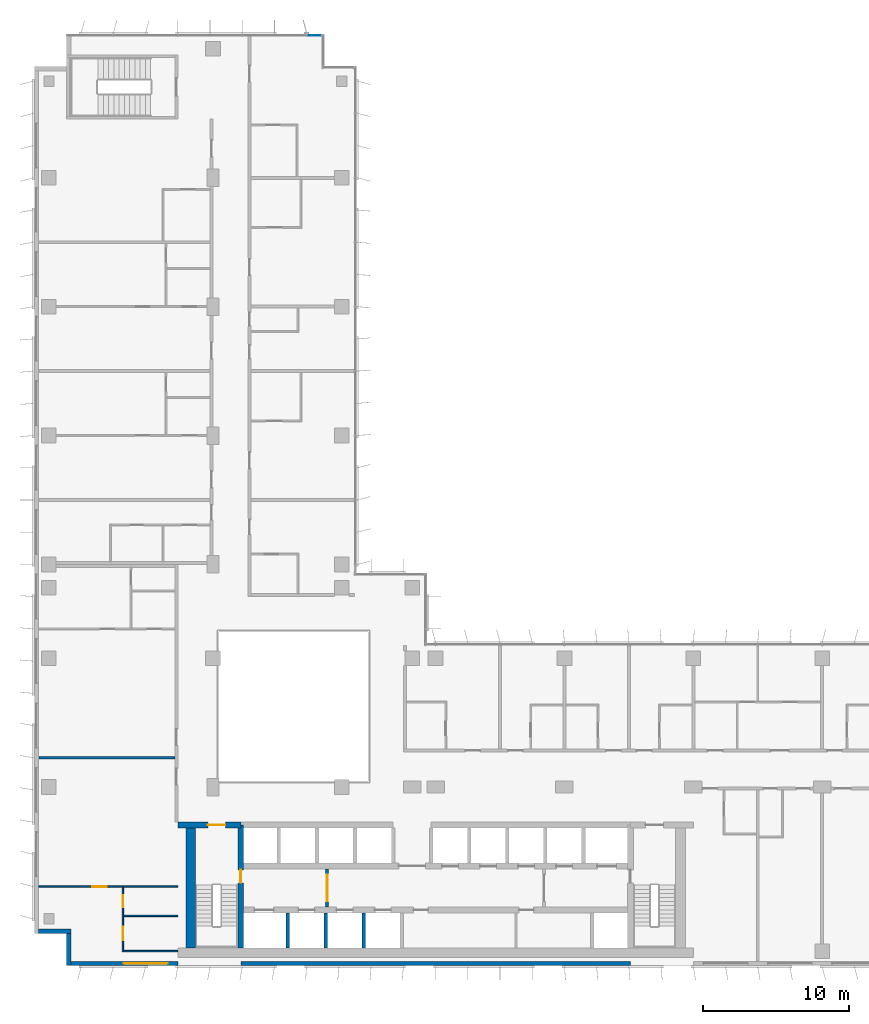
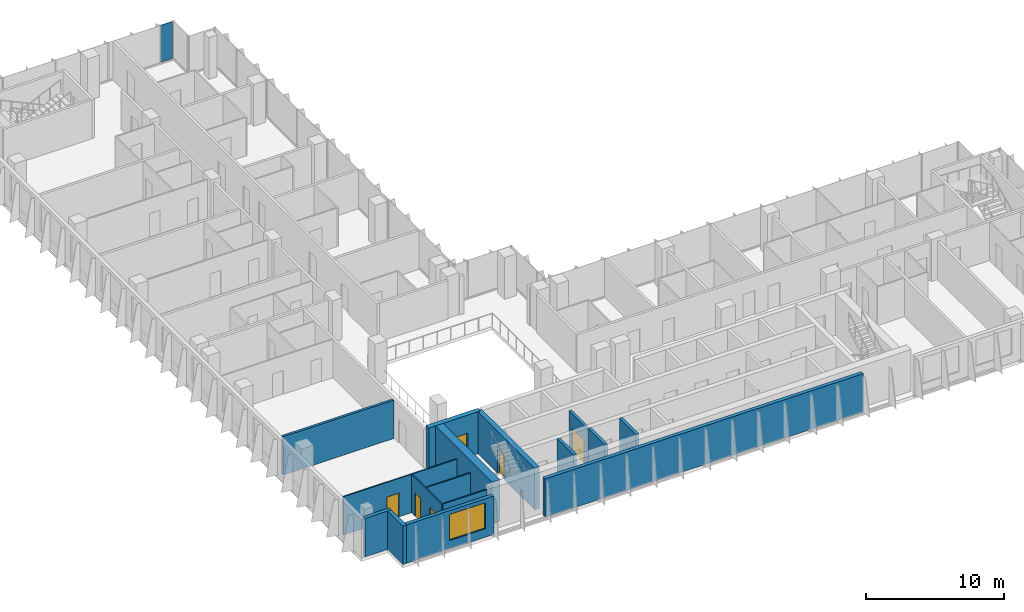
# One storey, part 12 of 21: 16 walls, 6 doors, 1 plate, 1 window, 7 openings, 1 element without a shape of its own.
"""IFC4 building model written with IfcOpenShell, lengths in metres."""

from ifc_helpers import new_model, si_unit, direction, frame, frame_2d, origin, origin_2d, place, context, subcontext, project, spatial, rectangle, extrude, source, transform, mapped, material, layer, layer_set, type_object, element, fill, aggregate, save


model = new_model("IFC4")

# Units and contexts
model_context = context("Model", 3, precision=1e-05, world=origin(), true_north=direction((0.0, 1.0)))
body_context = subcontext(model_context, "Body", "Model", "MODEL_VIEW")
ifc_project = project(units=[si_unit("LENGTHUNIT", "METRE"), si_unit("AREAUNIT", "SQUARE_METRE"), si_unit("VOLUMEUNIT", "CUBIC_METRE"), si_unit("PLANEANGLEUNIT", "RADIAN"), si_unit("MASSUNIT", "GRAM", prefix="KILO")], contexts=[model_context])

# Site, building, storey
site_placement = place(None, origin())
site = spatial("IfcSite", under=ifc_project, at=site_placement, CompositionType="ELEMENT")
building_placement = place(site_placement, origin())
building = spatial("IfcBuilding", under=site, at=building_placement, Name="Kemantara Hotel Tower", CompositionType="ELEMENT")
storey_placement = place(building_placement, frame((0.0, 0.0, 208.0)))
storey = spatial("IfcBuildingStorey", under=building, at=storey_placement, Name="L51", CompositionType="ELEMENT", Elevation=208.0)

# Curtain wall, plate
ifc_material_1 = material(Name="Low-E tinted double insulated glass 36 mm", Category="glass")
curtain_wall_type = type_object("IfcCurtainWallType", Name="TOWER CURTAIN WALL, FRONT FACES", PredefinedType="USERDEFINED", material=ifc_material_1)
curtain_wall_placement = place(storey_placement, origin())
curtain_wall = element("IfcCurtainWall", 1, at=curtain_wall_placement, inside=storey, type_object=curtain_wall_type, Name="CW4 L51 T3-R02-1", ObjectType="TOWER CURTAIN WALL, FRONT FACES", PredefinedType="USERDEFINED")
ifc_layer_1 = layer(ifc_material_1, 0.035888671875)
ifc_layer_set_1 = layer_set([ifc_layer_1], Name="Low-E tinted double insulated glass 36 mm")
plate_type = type_object("IfcPlateType", Name="TOWER CURTAIN WALL, FRONT FACES PANEL", PredefinedType="CURTAIN_PANEL", material=ifc_layer_set_1)
shared_shape = source(origin(), body_context, "Body", "SweptSolid", [
    extrude(rectangle(XDim=0.9599609375, YDim=0.035888671875, at=origin_2d()), origin(), (0.0, 0.0, 1.0), 3.280029296875),
])
plate_placement = place(storey_placement, frame((19.110107421875, 63.52490234375, 0.1201171875), z_axis=(0.0, 0.0, 1.0), x_axis=(-1.0, 0.0, 0.0)))
plate = element("IfcPlate", 2, at=plate_placement, type_object=plate_type, Name="CW4 glass panel T3-R02-1.1", PredefinedType="CURTAIN_PANEL", context=body_context, shape_type="MappedRepresentation", body=[
    mapped(shared_shape, transform((0.0, 0.0, 0.0))),
])
aggregate(curtain_wall, [plate])

# Walls
ifc_material_2 = material(Name="Bronze anodised aluminium cladding on insulated steel stud wall", Category="steel")
ifc_layer_2 = layer(ifc_material_2, 0.300048828125)
ifc_layer_set_2 = layer_set([ifc_layer_2], Name="Bronze anodised aluminium cladding on insulated steel stud wall")
wall_type_1 = type_object("IfcWallType", Name="BRONZE METAL-CLAD EXTERNAL WALL 300", PredefinedType="STANDARD", material=ifc_layer_set_2)
for number, where, z_axis, x_axis, name in (
    (3, (0.300048828125, 2.35009765625, 0.0), (0.0, 0.0, 1.0), (1.0, 0.0, 0.0), "EXTERNAL WALL L51 T3-R06"),
    (4, (2.35009765625, 2.199951171875, 0.0), (0.0, 0.0, 1.0), (0.0, -1.0, 0.0), "EXTERNAL WALL L51 T3-R07"),
):
    element("IfcWall", number, at=place(storey_placement, frame(where, z_axis=z_axis, x_axis=x_axis)), inside=storey, type_object=wall_type_1, Name=name, PredefinedType="STANDARD", context=body_context, shape_type="SweptSolid", body=[
        extrude(rectangle(XDim=2.199951171875, YDim=0.300048828125, at=frame_2d((1.10009765625, 0.0))), origin(), (0.0, 0.0, 1.0), 3.39990234375),
    ])

# Wall, opening, window
wall_1_placement = place(storey_placement, frame((2.5, 0.14990234375, 0.0), z_axis=(0.0, 0.0, 1.0), x_axis=(1.0, 0.0, 0.0)))
wall_1 = element("IfcWall", 5, at=wall_1_placement, inside=storey, type_object=wall_type_1, Name="EXTERNAL WALL L51 T3-R08", PredefinedType="STANDARD", context=body_context, shape_type="SweptSolid", body=[
    extrude(rectangle(XDim=7.300048828125, YDim=0.300048828125, at=frame_2d((3.64990234375, 0.0))), origin(), (0.0, 0.0, 1.0), 3.39990234375),
])
opening_1_placement = place(wall_1_placement, frame((3.60009765625, 0.0, 0.75)))
opening_1 = element("IfcOpeningElement", 6, at=opening_1_placement, cuts=wall_1, Name="Opening W1", PredefinedType="OPENING", context=body_context, shape_type="SweptSolid", body=[
    extrude(rectangle(XDim=3.0, YDim=2.300048828125, at=frame_2d((1.5, 1.14990234375))), frame((0.0, 0.159912109375, 0.0), z_axis=(0.0, -1.0, 0.0), x_axis=(1.0, 0.0, 0.0)), (0.0, 0.0, 1.0), 0.320068359375),
])
ifc_material_3 = material(Name="Low-E tinted double insulated glass in bronze anodised aluminium frame", Category="aluminium")
window_type = type_object("IfcWindowType", Name="CHICAGO WINDOW, TRIPLE PANEL 3000x2300", PartitioningType="TRIPLE_PANEL_VERTICAL", PredefinedType="WINDOW", material=ifc_material_3)
window_placement = place(opening_1_placement, origin())
window = element("IfcWindow", 7, at=window_placement, inside=storey, type_object=window_type, Name="CHICAGO WINDOW L51 T3-R08-54", OverallHeight=2.300048828125, OverallWidth=3.0, PartitioningType="SINGLE_PANEL", PredefinedType="WINDOW", context=body_context, shape_type="SweptSolid", body=[
    extrude(rectangle(XDim=3.0, YDim=2.300048828125, at=frame_2d((1.5, 1.14990234375))), frame((0.0, 0.030029296875, 0.0), z_axis=(0.0, -1.0, 0.0), x_axis=(1.0, 0.0, 0.0)), (0.0, 0.0, 1.0), 0.06005859375),
])
fill(opening_1, window)

# Walls
wall_2_placement = place(storey_placement, frame((14.10009765625, 0.14990234375, 0.0), z_axis=(0.0, 0.0, 1.0), x_axis=(1.0, 0.0, 0.0)))
element("IfcWall", 8, at=wall_2_placement, inside=storey, type_object=wall_type_1, Name="EXTERNAL WALL L51 T3-R08-2", PredefinedType="STANDARD", context=body_context, shape_type="SweptSolid", body=[
    extrude(rectangle(XDim=26.599853515625, YDim=0.300048828125, at=frame_2d((13.2998046875, 0.0))), origin(), (0.0, 0.0, 1.0), 3.39990234375),
])
ifc_material_4 = material(Name="Concrete fc 60 MPa", Category="concrete")
ifc_layer_3 = layer(ifc_material_4, 0.25)
ifc_layer_set_3 = layer_set([ifc_layer_3], Name="Concrete fc 60 MPa")
wall_type_2 = type_object("IfcWallType", Name="CORE WALL 250 FC60", PredefinedType="SHEAR", material=ifc_layer_set_3)
for number, where, z_axis, x_axis, name in (
    (9, (17.300048828125, 1.199951171875, 0.0), (0.0, 0.0, 1.0), (0.0, 1.0, 0.0), "CORE WALL CW-DS17.3"),
    (10, (19.89990234375, 1.199951171875, 0.0), (0.0, 0.0, 1.0), (0.0, 1.0, 0.0), "CORE WALL CW-DS19.9"),
    (11, (22.5, 1.199951171875, 0.0), (0.0, 0.0, 1.0), (0.0, 1.0, 0.0), "CORE WALL CW-DS22.5"),
):
    element("IfcWall", number, at=place(storey_placement, frame(where, z_axis=z_axis, x_axis=x_axis)), inside=storey, type_object=wall_type_2, Name=name, PredefinedType="SHEAR", context=body_context, shape_type="SweptSolid", body=[
        extrude(rectangle(XDim=2.400146484375, YDim=0.25, at=frame_2d((1.2001953125, 0.0))), origin(), (0.0, 0.0, 1.0), 3.699951171875),
    ])

# Wall, opening, door
ifc_layer_4 = layer(ifc_material_4, 0.39990234375)
ifc_layer_set_4 = layer_set([ifc_layer_4], Name="Concrete fc 60 MPa")
wall_type_3 = type_object("IfcWallType", Name="CORE WALL 400 FC60", PredefinedType="SHEAR", material=ifc_layer_set_4)
wall_3_placement = place(storey_placement, frame((9.800048828125, 9.60009765625, 0.0), z_axis=(0.0, 0.0, 1.0), x_axis=(1.0, 0.0, 0.0)))
wall_3 = element("IfcWall", 12, at=wall_3_placement, inside=storey, type_object=wall_type_3, Name="CORE WALL CW-N1", PredefinedType="SHEAR", context=body_context, shape_type="SweptSolid", body=[
    extrude(rectangle(XDim=4.300048828125, YDim=0.39990234375, at=frame_2d((2.14990234375, 0.0))), origin(), (0.0, 0.0, 1.0), 3.699951171875),
])
opening_2_placement = place(wall_3_placement, frame((2.050048828125, 0.0, 0.0)))
opening_2 = element("IfcOpeningElement", 13, at=opening_2_placement, cuts=wall_3, Name="Opening C32-ST1-C", PredefinedType="OPENING", context=body_context, shape_type="SweptSolid", body=[
    extrude(rectangle(XDim=1.199951171875, YDim=2.10009765625, at=frame_2d((0.60009765625, 1.050048828125))), frame((0.0, 0.2099609375, 0.0), z_axis=(0.0, -1.0, 0.0), x_axis=(1.0, 0.0, 0.0)), (0.0, 0.0, 1.0), 0.419921875),
])
ifc_material_5 = material(Name="Steel fire door", Category="steel")
door_type_1 = type_object("IfcDoorType", Name="Fire door FD90 1200 x 2100", OperationType="NOTDEFINED", PredefinedType="DOOR", material=ifc_material_5)
door_1_placement = place(opening_2_placement, frame((1.199951171875, 0.0, 0.0), z_axis=(0.0, 0.0, 1.0), x_axis=(-1.0, 0.0, 0.0)))
door_1 = element("IfcDoor", 14, at=door_1_placement, inside=storey, type_object=door_type_1, Name="Stair ST1 door to corridor", OperationType="SINGLE_SWING_LEFT", OverallHeight=2.10009765625, OverallWidth=1.199951171875, PredefinedType="DOOR", context=body_context, shape_type="SweptSolid", body=[
    extrude(rectangle(XDim=1.199951171875, YDim=2.10009765625, at=frame_2d((0.60009765625, 1.050048828125))), frame((0.0, 0.02490234375, 0.0), z_axis=(0.0, -1.0, 0.0), x_axis=(1.0, 0.0, 0.0)), (0.0, 0.0, 1.0), 0.050048828125),
])
fill(opening_2, door_1)

wall_4_placement = place(storey_placement, frame((14.10009765625, 1.199951171875, 0.0), z_axis=(0.0, 0.0, 1.0), x_axis=(0.0, 1.0, 0.0)))
wall_4 = element("IfcWall", 15, at=wall_4_placement, inside=storey, type_object=wall_type_3, Name="CORE WALL CW-ST1E", PredefinedType="SHEAR", context=body_context, shape_type="SweptSolid", body=[
    extrude(rectangle(XDim=8.400146484375, YDim=0.39990234375, at=frame_2d((4.2001953125, 0.0))), origin(), (0.0, 0.0, 1.0), 3.699951171875),
])
opening_3_placement = place(wall_4_placement, frame((4.449951171875, 0.0, 0.0)))
opening_3 = element("IfcOpeningElement", 16, at=opening_3_placement, cuts=wall_4, Name="Opening C32-ST1-F", PredefinedType="OPENING", context=body_context, shape_type="SweptSolid", body=[
    extrude(rectangle(XDim=0.89990234375, YDim=2.10009765625, at=frame_2d((0.449951171875, 1.050048828125))), frame((0.0, 0.2099609375, 0.0), z_axis=(0.0, -1.0, 0.0), x_axis=(1.0, 0.0, 0.0)), (0.0, 0.0, 1.0), 0.419921875),
])
door_type_2 = type_object("IfcDoorType", Name="Fire door FD90 900 x 2100", OperationType="NOTDEFINED", PredefinedType="DOOR", material=ifc_material_5)
door_2_placement = place(opening_3_placement, origin())
door_2 = element("IfcDoor", 17, at=door_2_placement, inside=storey, type_object=door_type_2, Name="Stair ST1 door to firefighting lobby", OperationType="SINGLE_SWING_RIGHT", OverallHeight=2.10009765625, OverallWidth=0.89990234375, PredefinedType="DOOR", context=body_context, shape_type="SweptSolid", body=[
    extrude(rectangle(XDim=0.89990234375, YDim=2.10009765625, at=frame_2d((0.449951171875, 1.050048828125))), frame((0.0, 0.02490234375, 0.0), z_axis=(0.0, -1.0, 0.0), x_axis=(1.0, 0.0, 0.0)), (0.0, 0.0, 1.0), 0.050048828125),
])
fill(opening_3, door_2)

# Walls
ifc_layer_5 = layer(ifc_material_4, 0.64990234375)
ifc_layer_set_5 = layer_set([ifc_layer_5], Name="Concrete fc 60 MPa")
wall_type_4 = type_object("IfcWallType", Name="CORE WALL 650 FC60", PredefinedType="SHEAR", material=ifc_layer_set_5)
wall_5_placement = place(storey_placement, frame((10.675048828125, 1.199951171875, 0.0), z_axis=(0.0, 0.0, 1.0), x_axis=(0.0, 1.0, 0.0)))
element("IfcWall", 18, at=wall_5_placement, inside=storey, type_object=wall_type_4, Name="CORE WALL CW-W", PredefinedType="SHEAR", context=body_context, shape_type="SweptSolid", body=[
    extrude(rectangle(XDim=8.60009765625, YDim=0.64990234375, at=frame_2d((4.300048828125, 0.0))), origin(), (0.0, 0.0, 1.0), 3.699951171875),
])
ifc_material_6 = material(Name="Gypsum board partition, steel studs and mineral wool, 200 mm", Category="steel")
ifc_layer_6 = layer(ifc_material_6, 0.199951171875)
ifc_layer_set_6 = layer_set([ifc_layer_6], Name="Gypsum board partition, steel studs and mineral wool, 200 mm")
wall_type_5 = type_object("IfcWallType", Name="GUEST ROOM PARTY WALL 200", PredefinedType="PARTITIONING", material=ifc_layer_set_6)
wall_6_placement = place(storey_placement, frame((0.31005859375, 14.199951171875, 0.0), z_axis=(0.0, 0.0, 1.0), x_axis=(1.0, 0.0, 0.0)))
element("IfcWall", 19, at=wall_6_placement, inside=storey, type_object=wall_type_5, Name="GUEST ROOM PARTY WALL 200 015", PredefinedType="PARTITIONING", context=body_context, shape_type="SweptSolid", body=[
    extrude(rectangle(XDim=9.2900390625, YDim=0.199951171875, at=frame_2d((4.64501953125, 0.0))), origin(), (0.0, 0.0, 1.0), 3.39990234375),
])

# Wall, opening, door
ifc_material_7 = material(Name="Gypsum board shaft wall")
ifc_layer_7 = layer(ifc_material_7, 0.199951171875)
ifc_layer_set_7 = layer_set([ifc_layer_7], Name="Gypsum board shaft wall")
wall_type_6 = type_object("IfcWallType", Name="Gypsum board shaft wall 200 mm", PredefinedType="PARTITIONING", material=ifc_layer_set_7)
wall_7_placement = place(storey_placement, frame((20.0, 4.0, 0.0), z_axis=(0.0, 0.0, 1.0), x_axis=(0.0, 1.0, 0.0)))
wall_7 = element("IfcWall", 20, at=wall_7_placement, inside=storey, type_object=wall_type_6, Name="Firefighting lobby partition west", PredefinedType="PARTITIONING", context=body_context, shape_type="SweptSolid", body=[
    extrude(rectangle(XDim=2.60009765625, YDim=0.199951171875, at=frame_2d((1.300048828125, 0.0))), origin(), (0.0, 0.0, 1.0), 3.39990234375),
])
opening_4_placement = place(wall_7_placement, frame((0.39990234375, 0.0, 0.0)))
opening_4 = element("IfcOpeningElement", 21, at=opening_4_placement, cuts=wall_7, Name="Opening C32-FFW", PredefinedType="OPENING", context=body_context, shape_type="SweptSolid", body=[
    extrude(rectangle(XDim=1.800048828125, YDim=2.10009765625, at=frame_2d((0.89990234375, 1.050048828125))), frame((0.0, 0.10986328125, 0.0), z_axis=(0.0, -1.0, 0.0), x_axis=(1.0, 0.0, 0.0)), (0.0, 0.0, 1.0), 0.219970703125),
])
door_type_3 = type_object("IfcDoorType", Name="Fire door pair FD60 1800 x 2100", OperationType="DOUBLE_DOOR_SINGLE_SWING", PredefinedType="DOOR", material=ifc_material_5)
door_3_placement = place(opening_4_placement, origin())
door_3 = element("IfcDoor", 22, at=door_3_placement, inside=storey, type_object=door_type_3, Name="Firefighting lobby door west", OperationType="DOUBLE_DOOR_SINGLE_SWING", OverallHeight=2.10009765625, OverallWidth=1.800048828125, PredefinedType="DOOR", context=body_context, shape_type="SweptSolid", body=[
    extrude(rectangle(XDim=1.800048828125, YDim=2.10009765625, at=frame_2d((0.89990234375, 1.050048828125))), frame((0.0, 0.02490234375, 0.0), z_axis=(0.0, -1.0, 0.0), x_axis=(1.0, 0.0, 0.0)), (0.0, 0.0, 1.0), 0.050048828125),
])
fill(opening_4, door_3)

# Wall, openings, doors
ifc_material_8 = material(Name="Gypsum board partition on steel studs, 100 mm", Category="steel")
ifc_layer_8 = layer(ifc_material_8, 0.10009765625)
ifc_layer_set_8 = layer_set([ifc_layer_8], Name="Gypsum board partition on steel studs, 100 mm")
wall_type_7 = type_object("IfcWallType", Name="ROOM PARTITION 100", PredefinedType="PARTITIONING", material=ifc_layer_set_8)
wall_8_placement = place(storey_placement, frame((6.050048828125, 5.35009765625, 0.0), z_axis=(0.0, 0.0, 1.0), x_axis=(0.0, -1.0, 0.0)))
wall_8 = element("IfcWall", 23, at=wall_8_placement, inside=storey, type_object=wall_type_7, Name="ROOM PARTITION 100 052", PredefinedType="PARTITIONING", context=body_context, shape_type="SweptSolid", body=[
    extrude(rectangle(XDim=4.400146484375, YDim=0.10009765625, at=frame_2d((2.2001953125, 0.0))), origin(), (0.0, 0.0, 1.0), 3.39990234375),
])
opening_5_placement = place(wall_8_placement, frame((2.699951171875, 0.0, 0.0)))
opening_5 = element("IfcOpeningElement", 24, at=opening_5_placement, cuts=wall_8, Name="Opening F25-025", PredefinedType="OPENING", context=body_context, shape_type="SweptSolid", body=[
    extrude(rectangle(XDim=0.89990234375, YDim=2.10009765625, at=frame_2d((0.449951171875, 1.050048828125))), frame((0.0, 0.06005859375, 0.0), z_axis=(0.0, -1.0, 0.0), x_axis=(1.0, 0.0, 0.0)), (0.0, 0.0, 1.0), 0.1201171875),
])
opening_6_placement = place(wall_8_placement, frame((0.550048828125, 0.0, 0.0)))
opening_6 = element("IfcOpeningElement", 25, at=opening_6_placement, cuts=wall_8, Name="Opening F25-026", PredefinedType="OPENING", context=body_context, shape_type="SweptSolid", body=[
    extrude(rectangle(XDim=0.800048828125, YDim=2.10009765625, at=frame_2d((0.39990234375, 1.050048828125))), frame((0.0, 0.06005859375, 0.0), z_axis=(0.0, -1.0, 0.0), x_axis=(1.0, 0.0, 0.0)), (0.0, 0.0, 1.0), 0.1201171875),
])
ifc_material_9 = material(Name="Hardwood veneer door leaf with steel frame", Category="steel")
door_type_4 = type_object("IfcDoorType", Name="BATHROOM DOOR 900 X 2100", OperationType="NOTDEFINED", PredefinedType="DOOR", material=ifc_material_9)
door_4_placement = place(opening_5_placement, origin())
door_4 = element("IfcDoor", 26, at=door_4_placement, inside=storey, type_object=door_type_4, Name="BATHROOM DOOR F25-025", OperationType="SINGLE_SWING_LEFT", OverallHeight=2.10009765625, OverallWidth=0.89990234375, PredefinedType="DOOR", context=body_context, shape_type="SweptSolid", body=[
    extrude(rectangle(XDim=0.89990234375, YDim=2.10009765625, at=frame_2d((0.449951171875, 1.050048828125))), frame((0.0, 0.02490234375, 0.0), z_axis=(0.0, -1.0, 0.0), x_axis=(1.0, 0.0, 0.0)), (0.0, 0.0, 1.0), 0.050048828125),
])
fill(opening_5, door_4)
door_type_5 = type_object("IfcDoorType", Name="WARDROBE DOOR 800 X 2100", OperationType="NOTDEFINED", PredefinedType="DOOR", material=ifc_material_9)
door_5_placement = place(opening_6_placement, origin())
door_5 = element("IfcDoor", 27, at=door_5_placement, inside=storey, type_object=door_type_5, Name="WARDROBE DOOR F25-026", OperationType="SINGLE_SWING_LEFT", OverallHeight=2.10009765625, OverallWidth=0.800048828125, PredefinedType="DOOR", context=body_context, shape_type="SweptSolid", body=[
    extrude(rectangle(XDim=0.800048828125, YDim=2.10009765625, at=frame_2d((0.39990234375, 1.050048828125))), frame((0.0, 0.02490234375, 0.0), z_axis=(0.0, -1.0, 0.0), x_axis=(1.0, 0.0, 0.0)), (0.0, 0.0, 1.0), 0.050048828125),
])
fill(opening_6, door_5)

# Wall, opening, door
wall_9_placement = place(storey_placement, frame((9.7998046875, 5.39990234375, 0.0), z_axis=(0.0, 0.0, 1.0), x_axis=(-1.0, 0.0, 0.0)))
wall_9 = element("IfcWall", 28, at=wall_9_placement, inside=storey, type_object=wall_type_7, Name="ROOM PARTITION 100 053", PredefinedType="PARTITIONING", context=body_context, shape_type="SweptSolid", body=[
    extrude(rectangle(XDim=9.48974609375, YDim=0.10009765625, at=frame_2d((4.744873046875, 0.0))), origin(), (0.0, 0.0, 1.0), 3.39990234375),
])
opening_7_placement = place(wall_9_placement, frame((4.849853515625, 0.0, 0.0)))
opening_7 = element("IfcOpeningElement", 29, at=opening_7_placement, cuts=wall_9, Name="Opening F25-024", PredefinedType="OPENING", context=body_context, shape_type="SweptSolid", body=[
    extrude(rectangle(XDim=1.0, YDim=2.10009765625, at=frame_2d((0.5, 1.050048828125))), frame((0.0, 0.06005859375, 0.0), z_axis=(0.0, -1.0, 0.0), x_axis=(1.0, 0.0, 0.0)), (0.0, 0.0, 1.0), 0.1201171875),
])
door_type_6 = type_object("IfcDoorType", Name="INTERNAL DOOR 1000 X 2100", OperationType="NOTDEFINED", PredefinedType="DOOR", material=ifc_material_9)
door_6_placement = place(opening_7_placement, origin())
door_6 = element("IfcDoor", 30, at=door_6_placement, inside=storey, type_object=door_type_6, Name="INTERNAL DOOR F25-024", OperationType="SINGLE_SWING_LEFT", OverallHeight=2.10009765625, OverallWidth=1.0, PredefinedType="DOOR", context=body_context, shape_type="SweptSolid", body=[
    extrude(rectangle(XDim=1.0, YDim=2.10009765625, at=frame_2d((0.5, 1.050048828125))), frame((0.0, 0.02490234375, 0.0), z_axis=(0.0, -1.0, 0.0), x_axis=(1.0, 0.0, 0.0)), (0.0, 0.0, 1.0), 0.050048828125),
])
fill(opening_7, door_6)

# Walls
for number, where, z_axis, x_axis, name in (
    (31, (6.10009765625, 1.0, 0.0), (0.0, 0.0, 1.0), (1.0, 0.0, 0.0), "ROOM PARTITION 100 054"),
    (32, (6.10009765625, 3.39990234375, 0.0), (0.0, 0.0, 1.0), (1.0, 0.0, 0.0), "ROOM PARTITION 100 055"),
):
    element("IfcWall", number, at=place(storey_placement, frame(where, z_axis=z_axis, x_axis=x_axis)), inside=storey, type_object=wall_type_7, Name=name, PredefinedType="PARTITIONING", context=body_context, shape_type="SweptSolid", body=[
        extrude(rectangle(XDim=3.69970703125, YDim=0.10009765625, at=frame_2d((1.849853515625, 0.0))), origin(), (0.0, 0.0, 1.0), 3.39990234375),
    ])

save(model, "model.ifc")
